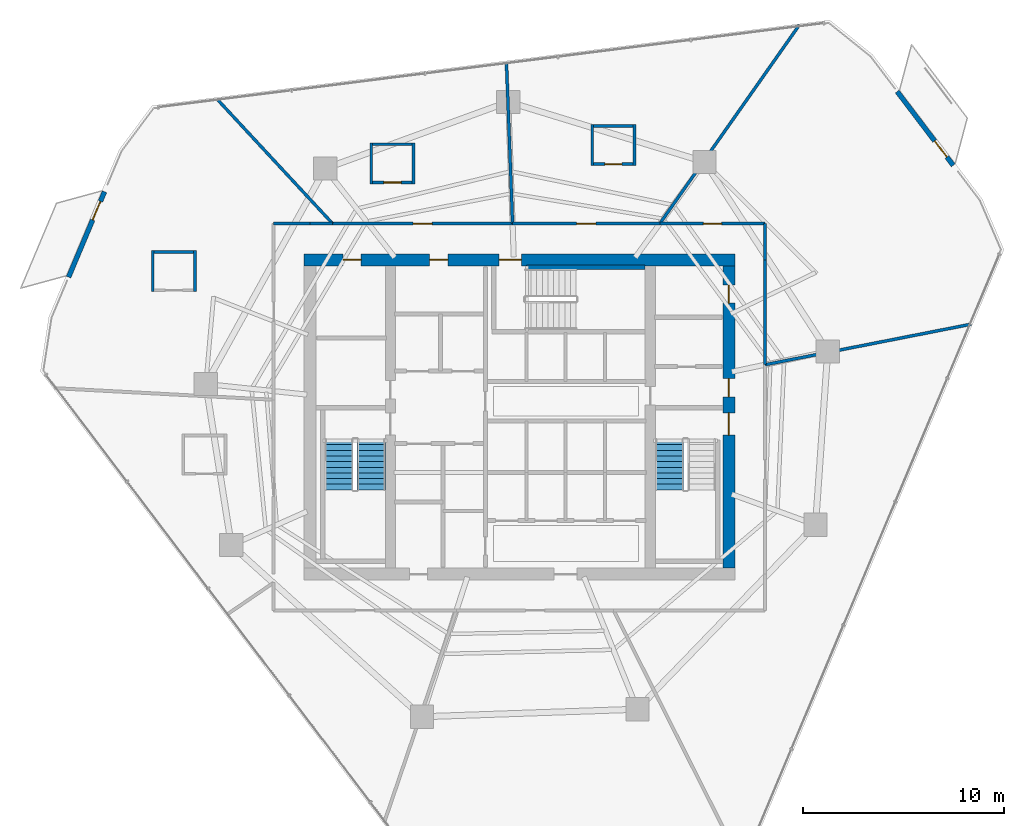
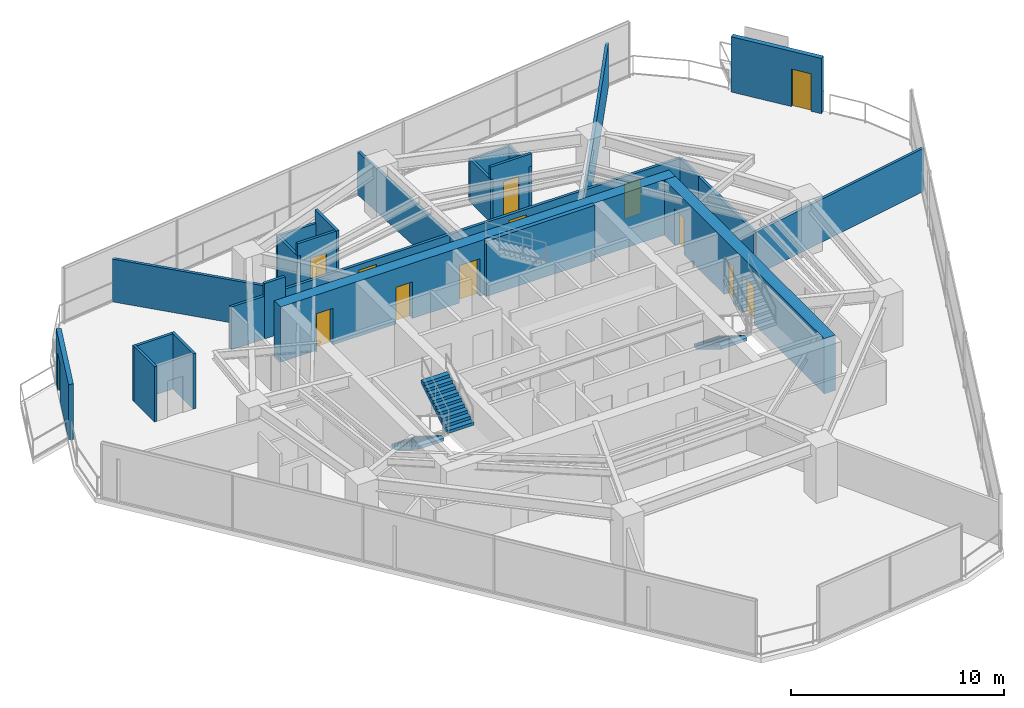
# One storey, part 26 of 30: 27 walls, 13 doors, 3 stair flights, 13 openings, 2 elements without a shape of their own.
"""IFC4 building model written with IfcOpenShell, lengths in metres."""

from ifc_helpers import new_model, si_unit, direction, frame, frame_2d, origin, place, context, subcontext, project, spatial, polyline, rectangle, outline, extrude, material, layer, layer_set, type_object, element, fill, aggregate, save


model = new_model("IFC4")

# Units and contexts
model_context = context("Model", 3, precision=1e-05, world=origin(), true_north=direction((0.0, 1.0)))
body_context = subcontext(model_context, "Body", "Model", "MODEL_VIEW")
ifc_project = project(units=[si_unit("LENGTHUNIT", "METRE"), si_unit("AREAUNIT", "SQUARE_METRE"), si_unit("VOLUMEUNIT", "CUBIC_METRE"), si_unit("PLANEANGLEUNIT", "RADIAN"), si_unit("MASSUNIT", "GRAM", prefix="KILO")], contexts=[model_context])

# Site, building, storey
site_placement = place(None, origin())
site = spatial("IfcSite", under=ifc_project, at=site_placement, CompositionType="ELEMENT")
building_placement = place(site_placement, origin())
building = spatial("IfcBuilding", under=site, at=building_placement, Name="Qarnah Convention Tower", CompositionType="ELEMENT")
storey_placement = place(building_placement, frame((0.0, 0.0, 93.60009765625)))
storey = spatial("IfcBuildingStorey", under=building, at=storey_placement, Name="L24", CompositionType="ELEMENT", Elevation=93.60009765625)

# Wall, openings, doors
ifc_material_1 = material(Name="Concrete C60/75", Category="concrete")
ifc_layer_1 = layer(ifc_material_1, 0.60009765625)
ifc_layer_set_1 = layer_set([ifc_layer_1], Name="Concrete C60/75")
wall_type_1 = type_object("IfcWallType", Name="WL-CORE-600", PredefinedType="SHEAR", material=ifc_layer_set_1)
wall_1_placement = place(storey_placement, frame((26.5, 34.199951171875, 0.0), z_axis=(0.0, 0.0, 1.0), x_axis=(1.0, 0.0, 0.0)))
wall_1 = element("IfcWall", 1, at=wall_1_placement, inside=storey, type_object=wall_type_1, Name="L24 core north shear wall", PredefinedType="SHEAR", context=body_context, shape_type="SweptSolid", body=[
    extrude(rectangle(XDim=21.39990234375, YDim=0.60009765625, at=frame_2d((10.699951171875, 0.0))), origin(), (0.0, 0.0, 1.0), 3.169921875),
])
opening_1_placement = place(wall_1_placement, frame((9.699951171875, 0.0, 0.0)))
opening_1 = element("IfcOpeningElement", 2, at=opening_1_placement, cuts=wall_1, Name="Opening D-2403", PredefinedType="OPENING", context=body_context, shape_type="SweptSolid", body=[
    extrude(rectangle(XDim=1.10009765625, YDim=2.14990234375, at=frame_2d((0.550048828125, 1.074951171875))), frame((0.0, 0.31005859375, 0.0), z_axis=(0.0, -1.0, 0.0), x_axis=(1.0, 0.0, 0.0)), (0.0, 0.0, 1.0), 0.6201171875),
])
opening_2_placement = place(wall_1_placement, frame((1.949951171875, 0.0, 0.0)))
opening_2 = element("IfcOpeningElement", 3, at=opening_2_placement, cuts=wall_1, Name="Opening D-2409", PredefinedType="OPENING", context=body_context, shape_type="SweptSolid", body=[
    extrude(rectangle(XDim=0.89990234375, YDim=2.10009765625, at=frame_2d((0.449951171875, 1.050048828125))), frame((0.0, 0.31005859375, 0.0), z_axis=(0.0, -1.0, 0.0), x_axis=(1.0, 0.0, 0.0)), (0.0, 0.0, 1.0), 0.6201171875),
])
opening_3_placement = place(wall_1_placement, frame((6.25, 0.0, 0.0)))
opening_3 = element("IfcOpeningElement", 4, at=opening_3_placement, cuts=wall_1, Name="Opening D-2410", PredefinedType="OPENING", context=body_context, shape_type="SweptSolid", body=[
    extrude(rectangle(XDim=0.89990234375, YDim=2.10009765625, at=frame_2d((0.449951171875, 1.050048828125))), frame((0.0, 0.31005859375, 0.0), z_axis=(0.0, -1.0, 0.0), x_axis=(1.0, 0.0, 0.0)), (0.0, 0.0, 1.0), 0.6201171875),
])
ifc_material_2 = material(Name="Structural steel S355JR", Category="steel")
door_type_1 = type_object("IfcDoorType", Name="DT-RISER-900", OperationType="NOTDEFINED", PredefinedType="DOOR", material=ifc_material_2)
door_1_placement = place(opening_2_placement, origin())
door_1 = element("IfcDoor", 5, at=door_1_placement, inside=storey, type_object=door_type_1, Name="Door D-2409", OperationType="SINGLE_SWING_RIGHT", OverallHeight=2.10009765625, OverallWidth=0.89990234375, PredefinedType="DOOR", context=body_context, shape_type="SweptSolid", body=[
    extrude(rectangle(XDim=0.89990234375, YDim=2.10009765625, at=frame_2d((0.449951171875, 1.050048828125))), frame((0.0, 0.02490234375, 0.0), z_axis=(0.0, -1.0, 0.0), x_axis=(1.0, 0.0, 0.0)), (0.0, 0.0, 1.0), 0.050048828125),
])
fill(opening_2, door_1)
door_2_placement = place(opening_3_placement, origin())
door_2 = element("IfcDoor", 6, at=door_2_placement, inside=storey, type_object=door_type_1, Name="Door D-2410", OperationType="SINGLE_SWING_LEFT", OverallHeight=2.10009765625, OverallWidth=0.89990234375, PredefinedType="DOOR", context=body_context, shape_type="SweptSolid", body=[
    extrude(rectangle(XDim=0.89990234375, YDim=2.10009765625, at=frame_2d((0.449951171875, 1.050048828125))), frame((0.0, 0.02490234375, 0.0), z_axis=(0.0, -1.0, 0.0), x_axis=(1.0, 0.0, 0.0)), (0.0, 0.0, 1.0), 0.050048828125),
])
fill(opening_3, door_2)
door_type_2 = type_object("IfcDoorType", Name="DT-STAIR-1100", OperationType="NOTDEFINED", PredefinedType="DOOR", material=ifc_material_2)
door_3_placement = place(opening_1_placement, origin())
door_3 = element("IfcDoor", 7, at=door_3_placement, inside=storey, type_object=door_type_2, Name="Door D-2403", OperationType="SINGLE_SWING_RIGHT", OverallHeight=2.14990234375, OverallWidth=1.10009765625, PredefinedType="DOOR", context=body_context, shape_type="SweptSolid", body=[
    extrude(rectangle(XDim=1.10009765625, YDim=2.14990234375, at=frame_2d((0.550048828125, 1.074951171875))), frame((0.0, 0.02490234375, 0.0), z_axis=(0.0, -1.0, 0.0), x_axis=(1.0, 0.0, 0.0)), (0.0, 0.0, 1.0), 0.050048828125),
])
fill(opening_1, door_3)

wall_2_placement = place(storey_placement, frame((47.60009765625, 18.89990234375, 0.0), z_axis=(0.0, 0.0, 1.0), x_axis=(0.0, 1.0, 0.0)))
wall_2 = element("IfcWall", 8, at=wall_2_placement, inside=storey, type_object=wall_type_1, Name="L24 core east shear wall", PredefinedType="SHEAR", context=body_context, shape_type="SweptSolid", body=[
    extrude(rectangle(XDim=15.0, YDim=0.60009765625, at=frame_2d((7.5, 0.0))), origin(), (0.0, 0.0, 1.0), 3.169921875),
])
opening_4_placement = place(wall_2_placement, frame((6.60009765625, 0.0, 0.0)))
opening_4 = element("IfcOpeningElement", 9, at=opening_4_placement, cuts=wall_2, Name="Opening D-2402", PredefinedType="OPENING", context=body_context, shape_type="SweptSolid", body=[
    extrude(rectangle(XDim=1.10009765625, YDim=2.14990234375, at=frame_2d((0.550048828125, 1.074951171875))), frame((0.0, 0.31005859375, 0.0), z_axis=(0.0, -1.0, 0.0), x_axis=(1.0, 0.0, 0.0)), (0.0, 0.0, 1.0), 0.6201171875),
])
opening_5_placement = place(wall_2_placement, frame((8.5, 0.0, 0.0)))
opening_5 = element("IfcOpeningElement", 10, at=opening_5_placement, cuts=wall_2, Name="Opening D-2406", PredefinedType="OPENING", context=body_context, shape_type="SweptSolid", body=[
    extrude(rectangle(XDim=0.89990234375, YDim=2.10009765625, at=frame_2d((0.449951171875, 1.050048828125))), frame((0.0, 0.31005859375, 0.0), z_axis=(0.0, -1.0, 0.0), x_axis=(1.0, 0.0, 0.0)), (0.0, 0.0, 1.0), 0.6201171875),
])
opening_6_placement = place(wall_2_placement, frame((13.14990234375, 0.0, 0.0)))
opening_6 = element("IfcOpeningElement", 11, at=opening_6_placement, cuts=wall_2, Name="Opening D-2412", PredefinedType="OPENING", context=body_context, shape_type="SweptSolid", body=[
    extrude(rectangle(XDim=0.89990234375, YDim=2.10009765625, at=frame_2d((0.449951171875, 1.050048828125))), frame((0.0, 0.31005859375, 0.0), z_axis=(0.0, -1.0, 0.0), x_axis=(1.0, 0.0, 0.0)), (0.0, 0.0, 1.0), 0.6201171875),
])
door_4_placement = place(opening_5_placement, origin())
door_4 = element("IfcDoor", 12, at=door_4_placement, inside=storey, type_object=door_type_1, Name="Door D-2406", OperationType="SINGLE_SWING_LEFT", OverallHeight=2.10009765625, OverallWidth=0.89990234375, PredefinedType="DOOR", context=body_context, shape_type="SweptSolid", body=[
    extrude(rectangle(XDim=0.89990234375, YDim=2.10009765625, at=frame_2d((0.449951171875, 1.050048828125))), frame((0.0, 0.02490234375, 0.0), z_axis=(0.0, -1.0, 0.0), x_axis=(1.0, 0.0, 0.0)), (0.0, 0.0, 1.0), 0.050048828125),
])
fill(opening_5, door_4)
door_5_placement = place(opening_6_placement, origin())
door_5 = element("IfcDoor", 13, at=door_5_placement, inside=storey, type_object=door_type_1, Name="Door D-2412", OperationType="SINGLE_SWING_LEFT", OverallHeight=2.10009765625, OverallWidth=0.89990234375, PredefinedType="DOOR", context=body_context, shape_type="SweptSolid", body=[
    extrude(rectangle(XDim=0.89990234375, YDim=2.10009765625, at=frame_2d((0.449951171875, 1.050048828125))), frame((0.0, 0.02490234375, 0.0), z_axis=(0.0, -1.0, 0.0), x_axis=(1.0, 0.0, 0.0)), (0.0, 0.0, 1.0), 0.050048828125),
])
fill(opening_6, door_5)
door_6_placement = place(opening_4_placement, origin())
door_6 = element("IfcDoor", 14, at=door_6_placement, inside=storey, type_object=door_type_2, Name="Door D-2402", OperationType="SINGLE_SWING_LEFT", OverallHeight=2.14990234375, OverallWidth=1.10009765625, PredefinedType="DOOR", context=body_context, shape_type="SweptSolid", body=[
    extrude(rectangle(XDim=1.10009765625, YDim=2.14990234375, at=frame_2d((0.550048828125, 1.074951171875))), frame((0.0, 0.02490234375, 0.0), z_axis=(0.0, -1.0, 0.0), x_axis=(1.0, 0.0, 0.0)), (0.0, 0.0, 1.0), 0.050048828125),
])
fill(opening_4, door_6)

# Wall
ifc_layer_2 = layer(ifc_material_1, 0.219970703125)
ifc_layer_set_2 = layer_set([ifc_layer_2], Name="Concrete C60/75")
wall_type_2 = type_object("IfcWallType", Name="WL-CORE-STAIR-220", PredefinedType="SHEAR", material=ifc_layer_set_2)
wall_3_placement = place(storey_placement, frame((37.550048828125, 33.840087890625, 0.0), z_axis=(0.0, 0.0, 1.0), x_axis=(1.0, 0.0, 0.0)))
element("IfcWall", 15, at=wall_3_placement, inside=storey, type_object=wall_type_2, Name="L24 stair shaft shear wall SW-L24-ST3N", PredefinedType="SHEAR", context=body_context, shape_type="SweptSolid", body=[
    extrude(rectangle(XDim=5.89990234375, YDim=0.219970703125, at=frame_2d((2.949951171875, 0.0))), origin(), (0.0, 0.0, 1.0), 3.169921875),
])

# Wall, opening, door
ifc_material_3 = material(Name="Precast concrete C45/55", Category="concrete")
ifc_layer_3 = layer(ifc_material_3, 0.239990234375)
ifc_layer_set_3 = layer_set([ifc_layer_3], Name="Precast concrete C45/55")
wall_type_3 = type_object("IfcWallType", Name="WL-EXT-BAL-240", PredefinedType="SOLIDWALL", material=ifc_layer_set_3)
wall_4_placement = place(storey_placement, frame((55.958984375, 42.553955078125, 0.0), z_axis=(0.0, 0.0, 1.0), x_axis=(0.604575811397, -0.79654760578, 0.0)))
wall_4 = element("IfcWall", 16, at=wall_4_placement, inside=storey, type_object=wall_type_3, Name="L24 loggia threshold wall BAL-L24-C1", PredefinedType="SOLIDWALL", context=body_context, shape_type="SweptSolid", body=[
    extrude(rectangle(XDim=4.599853515625, YDim=0.239990234375, at=frame_2d((2.2998046875, 0.0))), origin(), (0.0, 0.0, 1.0), 3.169921875),
])
opening_7_placement = place(wall_4_placement, frame((3.080078125, 0.0, 0.0)))
opening_7 = element("IfcOpeningElement", 17, at=opening_7_placement, cuts=wall_4, Name="Opening BD-2401", PredefinedType="OPENING", context=body_context, shape_type="SweptSolid", body=[
    extrude(rectangle(XDim=1.0, YDim=2.14990234375, at=frame_2d((0.5, 1.074951171875))), frame((0.0, 0.1298828125, 0.0), z_axis=(0.0, -1.0, 0.0), x_axis=(1.0, 0.0, 0.0)), (0.0, 0.0, 1.0), 0.260009765625),
])
ifc_material_4 = material(Name="Black anodised aluminium", Category="aluminium")
door_type_3 = type_object("IfcDoorType", Name="DT-BAL-1000", OperationType="NOTDEFINED", PredefinedType="DOOR", material=ifc_material_4)
door_7_placement = place(opening_7_placement, origin())
door_7 = element("IfcDoor", 18, at=door_7_placement, inside=storey, type_object=door_type_3, Name="L24 balcony terrace door BAL-L24-C1", OperationType="SINGLE_SWING_LEFT", OverallHeight=2.14990234375, OverallWidth=1.0, PredefinedType="DOOR", context=body_context, shape_type="SweptSolid", body=[
    extrude(rectangle(XDim=1.0, YDim=2.14990234375, at=frame_2d((0.5, 1.074951171875))), frame((0.0, 0.02490234375, 0.0), z_axis=(0.0, -1.0, 0.0), x_axis=(1.0, 0.0, 0.0)), (0.0, 0.0, 1.0), 0.050048828125),
])
fill(opening_7, door_7)

wall_5_placement = place(storey_placement, frame((14.823974609375, 33.342041015625, 0.0), z_axis=(0.0, 0.0, 1.0), x_axis=(0.387632206043, 0.921814120546, 0.0)))
wall_5 = element("IfcWall", 19, at=wall_5_placement, inside=storey, type_object=wall_type_3, Name="L24 loggia threshold wall BAL-L24-C2", PredefinedType="SOLIDWALL", context=body_context, shape_type="SweptSolid", body=[
    extrude(rectangle(XDim=4.599609375, YDim=0.239990234375, at=frame_2d((2.2998046875, 0.0))), origin(), (0.0, 0.0, 1.0), 3.169921875),
])
opening_8_placement = place(wall_5_placement, frame((3.080078125, 0.0, 0.0)))
opening_8 = element("IfcOpeningElement", 20, at=opening_8_placement, cuts=wall_5, Name="Opening BD-2402", PredefinedType="OPENING", context=body_context, shape_type="SweptSolid", body=[
    extrude(rectangle(XDim=1.0, YDim=2.14990234375, at=frame_2d((0.5, 1.074951171875))), frame((0.0, 0.1298828125, 0.0), z_axis=(0.0, -1.0, 0.0), x_axis=(1.0, 0.0, 0.0)), (0.0, 0.0, 1.0), 0.260009765625),
])
door_8_placement = place(opening_8_placement, origin())
door_8 = element("IfcDoor", 21, at=door_8_placement, inside=storey, type_object=door_type_3, Name="L24 balcony terrace door BAL-L24-C2", OperationType="SINGLE_SWING_RIGHT", OverallHeight=2.14990234375, OverallWidth=1.0, PredefinedType="DOOR", context=body_context, shape_type="SweptSolid", body=[
    extrude(rectangle(XDim=1.0, YDim=2.14990234375, at=frame_2d((0.5, 1.074951171875))), frame((0.0, 0.02490234375, 0.0), z_axis=(0.0, -1.0, 0.0), x_axis=(1.0, 0.0, 0.0)), (0.0, 0.0, 1.0), 0.050048828125),
])
fill(opening_8, door_8)

# Wall
ifc_material_5 = material(Name="Gypsum partition board")
ifc_layer_4 = layer(ifc_material_5, 0.14990234375)
ifc_layer_set_4 = layer_set([ifc_layer_4], Name="Gypsum partition board")
wall_type_4 = type_object("IfcWallType", Name="WL-SUITE-150", PredefinedType="PARTITIONING", material=ifc_layer_set_4)
wall_6_placement = place(storey_placement, frame((51.09912109375, 45.85595703125, 0.0), z_axis=(0.0, 0.0, 1.0), x_axis=(-0.574849064003, -0.818259465949, 0.0)))
element("IfcWall", 22, at=wall_6_placement, inside=storey, type_object=wall_type_4, Name="L24 interior wall IW-L24-R-17", PredefinedType="PARTITIONING", context=body_context, shape_type="SweptSolid", body=[
    extrude(rectangle(XDim=12.044921875, YDim=0.14990234375, at=frame_2d((6.0224609375, 0.0))), origin(), (0.0, 0.0, 1.0), 2.466796875),
])

# Wall, opening, door
wall_7_placement = place(storey_placement, frame((44.175048828125, 36.0, 0.0), z_axis=(0.0, 0.0, 1.0), x_axis=(1.0, 0.0, 0.0)))
wall_7 = element("IfcWall", 23, at=wall_7_placement, inside=storey, type_object=wall_type_4, Name="L24 interior wall IW-L24-R-18", PredefinedType="PARTITIONING", context=body_context, shape_type="SweptSolid", body=[
    extrude(rectangle(XDim=5.224853515625, YDim=0.14990234375, at=frame_2d((2.6123046875, 0.0))), origin(), (0.0, 0.0, 1.0), 2.454833984375),
])
opening_9_placement = place(wall_7_placement, frame((2.1630859375, 0.0, 0.0)))
opening_9 = element("IfcOpeningElement", 24, at=opening_9_placement, cuts=wall_7, Name="Opening D-2416", PredefinedType="OPENING", context=body_context, shape_type="SweptSolid", body=[
    extrude(rectangle(XDim=0.89990234375, YDim=2.0, at=frame_2d((0.449951171875, 1.0))), frame((0.0, 0.0849609375, 0.0), z_axis=(0.0, -1.0, 0.0), x_axis=(1.0, 0.0, 0.0)), (0.0, 0.0, 1.0), 0.169921875),
])
door_type_4 = type_object("IfcDoorType", Name="DT-PLANT-900", OperationType="NOTDEFINED", PredefinedType="DOOR", material=ifc_material_2)
door_9_placement = place(opening_9_placement, origin())
door_9 = element("IfcDoor", 25, at=door_9_placement, inside=storey, type_object=door_type_4, Name="Door D-2416", OperationType="SINGLE_SWING_LEFT", OverallHeight=2.0, OverallWidth=0.89990234375, PredefinedType="DOOR", context=body_context, shape_type="SweptSolid", body=[
    extrude(rectangle(XDim=0.89990234375, YDim=2.0, at=frame_2d((0.449951171875, 1.0))), frame((0.0, 0.02490234375, 0.0), z_axis=(0.0, -1.0, 0.0), x_axis=(1.0, 0.0, 0.0)), (0.0, 0.0, 1.0), 0.050048828125),
])
fill(opening_9, door_9)

# Walls
wall_8_placement = place(storey_placement, frame((49.39990234375, 36.0, 0.0), z_axis=(0.0, 0.0, 1.0), x_axis=(0.0, -1.0, 0.0)))
element("IfcWall", 26, at=wall_8_placement, inside=storey, type_object=wall_type_4, Name="L24 interior wall IW-L24-R-19", PredefinedType="PARTITIONING", context=body_context, shape_type="SweptSolid", body=[
    extrude(rectangle(XDim=1.800048828125, YDim=0.14990234375, at=frame_2d((0.89990234375, 0.0))), origin(), (0.0, 0.0, 1.0), 2.454833984375),
])
wall_9_placement = place(storey_placement, frame((49.39990234375, 34.199951171875, 0.0), z_axis=(0.0, 0.0, 1.0), x_axis=(0.0, -1.0, 0.0)))
element("IfcWall", 27, at=wall_9_placement, inside=storey, type_object=wall_type_4, Name="L24 interior wall IW-L24-R-20", PredefinedType="PARTITIONING", context=body_context, shape_type="SweptSolid", body=[
    extrude(rectangle(XDim=5.20703125, YDim=0.14990234375, at=frame_2d((2.603515625, 0.0))), origin(), (0.0, 0.0, 1.0), 2.454833984375),
])
wall_10_placement = place(storey_placement, frame((49.39990234375, 28.992919921875, 0.0), z_axis=(0.0, 0.0, 1.0), x_axis=(0.981218213856, 0.192901054424, 0.0)))
element("IfcWall", 28, at=wall_10_placement, inside=storey, type_object=wall_type_4, Name="L24 interior wall IW-L24-R-21", PredefinedType="PARTITIONING", context=body_context, shape_type="SweptSolid", body=[
    extrude(rectangle(XDim=10.429931640625, YDim=0.14990234375, at=frame_2d((5.21484375, 0.0))), origin(), (0.0, 0.0, 1.0), 2.466796875),
])
wall_11_placement = place(storey_placement, frame((36.56005859375, 43.9990234375, 0.0), z_axis=(0.0, 0.0, 1.0), x_axis=(0.038093439529, -0.999274181526, 0.0)))
element("IfcWall", 29, at=wall_11_placement, inside=storey, type_object=wall_type_4, Name="L24 interior wall IW-L24-R-22", PredefinedType="PARTITIONING", context=body_context, shape_type="SweptSolid", body=[
    extrude(rectangle(XDim=8.0048828125, YDim=0.14990234375, at=frame_2d((4.00244140625, 0.0))), origin(), (0.0, 0.0, 1.0), 2.466796875),
])

# Wall, opening, door
wall_12_placement = place(storey_placement, frame((36.864990234375, 36.0, 0.0), z_axis=(0.0, 0.0, 1.0), x_axis=(1.0, 0.0, 0.0)))
wall_12 = element("IfcWall", 30, at=wall_12_placement, inside=storey, type_object=wall_type_4, Name="L24 interior wall IW-L24-R-23", PredefinedType="PARTITIONING", context=body_context, shape_type="SweptSolid", body=[
    extrude(rectangle(XDim=7.31005859375, YDim=0.14990234375, at=frame_2d((3.655029296875, 0.0))), origin(), (0.0, 0.0, 1.0), 2.466796875),
])
opening_10_placement = place(wall_12_placement, frame((3.179931640625, 0.0, 0.0)))
opening_10 = element("IfcOpeningElement", 31, at=opening_10_placement, cuts=wall_12, Name="Opening D-2417", PredefinedType="OPENING", context=body_context, shape_type="SweptSolid", body=[
    extrude(rectangle(XDim=0.949951171875, YDim=2.14990234375, at=frame_2d((0.47509765625, 1.074951171875))), frame((0.0, 0.0849609375, 0.0), z_axis=(0.0, -1.0, 0.0), x_axis=(1.0, 0.0, 0.0)), (0.0, 0.0, 1.0), 0.169921875),
])
ifc_material_6 = material(Name="Oak timber veneer", Category="wood")
door_type_5 = type_object("IfcDoorType", Name="DT-HOTEL-950", OperationType="NOTDEFINED", PredefinedType="DOOR", material=ifc_material_6)
door_10_placement = place(opening_10_placement, origin())
door_10 = element("IfcDoor", 32, at=door_10_placement, inside=storey, type_object=door_type_5, Name="Door D-2417", OperationType="SINGLE_SWING_RIGHT", OverallHeight=2.14990234375, OverallWidth=0.949951171875, PredefinedType="DOOR", context=body_context, shape_type="SweptSolid", body=[
    extrude(rectangle(XDim=0.949951171875, YDim=2.14990234375, at=frame_2d((0.47509765625, 1.074951171875))), frame((0.0, 0.02490234375, 0.0), z_axis=(0.0, -1.0, 0.0), x_axis=(1.0, 0.0, 0.0)), (0.0, 0.0, 1.0), 0.050048828125),
])
fill(opening_10, door_10)

# Wall
wall_13_placement = place(storey_placement, frame((22.177001953125, 42.197021484375, 0.0), z_axis=(0.0, 0.0, 1.0), x_axis=(0.680297136608, -0.732936426932, 0.0)))
element("IfcWall", 33, at=wall_13_placement, inside=storey, type_object=wall_type_4, Name="L24 interior wall IW-L24-R-24", PredefinedType="PARTITIONING", context=body_context, shape_type="SweptSolid", body=[
    extrude(rectangle(XDim=8.455078125, YDim=0.14990234375, at=frame_2d((4.2275390625, 0.0))), origin(), (0.0, 0.0, 1.0), 2.454833984375),
])

# Wall, opening, door
wall_14_placement = place(storey_placement, frame((27.928955078125, 36.0, 0.0), z_axis=(0.0, 0.0, 1.0), x_axis=(1.0, 0.0, 0.0)))
wall_14 = element("IfcWall", 34, at=wall_14_placement, inside=storey, type_object=wall_type_4, Name="L24 interior wall IW-L24-R-25", PredefinedType="PARTITIONING", context=body_context, shape_type="SweptSolid", body=[
    extrude(rectangle(XDim=8.93603515625, YDim=0.14990234375, at=frame_2d((4.468017578125, 0.0))), origin(), (0.0, 0.0, 1.0), 2.466796875),
])
opening_11_placement = place(wall_14_placement, frame((3.992919921875, 0.0, 0.0)))
opening_11 = element("IfcOpeningElement", 35, at=opening_11_placement, cuts=wall_14, Name="Opening D-2419", PredefinedType="OPENING", context=body_context, shape_type="SweptSolid", body=[
    extrude(rectangle(XDim=0.949951171875, YDim=2.14990234375, at=frame_2d((0.47509765625, 1.074951171875))), frame((0.0, 0.0849609375, 0.0), z_axis=(0.0, -1.0, 0.0), x_axis=(1.0, 0.0, 0.0)), (0.0, 0.0, 1.0), 0.169921875),
])
door_11_placement = place(opening_11_placement, origin())
door_11 = element("IfcDoor", 36, at=door_11_placement, inside=storey, type_object=door_type_5, Name="Door D-2419", OperationType="SINGLE_SWING_RIGHT", OverallHeight=2.14990234375, OverallWidth=0.949951171875, PredefinedType="DOOR", context=body_context, shape_type="SweptSolid", body=[
    extrude(rectangle(XDim=0.949951171875, YDim=2.14990234375, at=frame_2d((0.47509765625, 1.074951171875))), frame((0.0, 0.02490234375, 0.0), z_axis=(0.0, -1.0, 0.0), x_axis=(1.0, 0.0, 0.0)), (0.0, 0.0, 1.0), 0.050048828125),
])
fill(opening_11, door_11)

# Walls
wall_15_placement = place(storey_placement, frame((25.0, 36.0, 0.0), z_axis=(0.0, 0.0, 1.0), x_axis=(1.0, 0.0, 0.0)))
element("IfcWall", 37, at=wall_15_placement, inside=storey, type_object=wall_type_4, Name="L24 interior wall IW-L24-R-28", PredefinedType="PARTITIONING", context=body_context, shape_type="SweptSolid", body=[
    extrude(rectangle(XDim=1.800048828125, YDim=0.14990234375, at=frame_2d((0.89990234375, 0.0))), origin(), (0.0, 0.0, 1.0), 2.454833984375),
])
wall_16_placement = place(storey_placement, frame((26.800048828125, 36.0, 0.0), z_axis=(0.0, 0.0, 1.0), x_axis=(1.0, 0.0, 0.0)))
element("IfcWall", 38, at=wall_16_placement, inside=storey, type_object=wall_type_4, Name="L24 interior wall IW-L24-R-29", PredefinedType="PARTITIONING", context=body_context, shape_type="SweptSolid", body=[
    extrude(rectangle(XDim=1.12890625, YDim=0.14990234375, at=frame_2d((0.564453125, 0.0))), origin(), (0.0, 0.0, 1.0), 3.169921875),
])

# Wall, opening, door
ifc_layer_5 = layer(ifc_material_5, 0.139892578125)
ifc_layer_set_5 = layer_set([ifc_layer_5], Name="Gypsum partition board")
wall_type_5 = type_object("IfcWallType", Name="WL-WET-140", PredefinedType="PARTITIONING", material=ifc_layer_set_5)
wall_17_placement = place(storey_placement, frame((40.7490234375, 38.949951171875, 0.0), z_axis=(0.0, 0.0, 1.0), x_axis=(1.0, 0.0, 0.0)))
wall_17 = element("IfcWall", 39, at=wall_17_placement, inside=storey, type_object=wall_type_5, Name="L24 interior wall IW-L24-ENS01-1", PredefinedType="PARTITIONING", context=body_context, shape_type="SweptSolid", body=[
    extrude(rectangle(XDim=2.239990234375, YDim=0.139892578125, at=frame_2d((1.1201171875, 0.0))), origin(), (0.0, 0.0, 1.0), 3.169921875),
])
opening_12_placement = place(wall_17_placement, frame((0.695068359375, 0.0, 0.0)))
opening_12 = element("IfcOpeningElement", 40, at=opening_12_placement, cuts=wall_17, Name="Opening D-2418", PredefinedType="OPENING", context=body_context, shape_type="SweptSolid", body=[
    extrude(rectangle(XDim=0.85009765625, YDim=2.10009765625, at=frame_2d((0.425048828125, 1.050048828125))), frame((0.0, 0.079833984375, 0.0), z_axis=(0.0, -1.0, 0.0), x_axis=(1.0, 0.0, 0.0)), (0.0, 0.0, 1.0), 0.159912109375),
])
door_type_6 = type_object("IfcDoorType", Name="DT-BATH-850", OperationType="NOTDEFINED", PredefinedType="DOOR", material=ifc_material_6)
door_12_placement = place(opening_12_placement, origin())
door_12 = element("IfcDoor", 41, at=door_12_placement, inside=storey, type_object=door_type_6, Name="Door D-2418", OperationType="SINGLE_SWING_LEFT", OverallHeight=2.10009765625, OverallWidth=0.85009765625, PredefinedType="DOOR", context=body_context, shape_type="SweptSolid", body=[
    extrude(rectangle(XDim=0.85009765625, YDim=2.10009765625, at=frame_2d((0.425048828125, 1.050048828125))), frame((0.0, 0.02490234375, 0.0), z_axis=(0.0, -1.0, 0.0), x_axis=(1.0, 0.0, 0.0)), (0.0, 0.0, 1.0), 0.050048828125),
])
fill(opening_12, door_12)

# Walls
wall_18_placement = place(storey_placement, frame((42.9189453125, 38.8798828125, 0.0), z_axis=(0.0, 0.0, 1.0), x_axis=(0.0, 1.0, 0.0)))
element("IfcWall", 42, at=wall_18_placement, inside=storey, type_object=wall_type_5, Name="L24 interior wall IW-L24-ENS01-2", PredefinedType="PARTITIONING", context=body_context, shape_type="SweptSolid", body=[
    extrude(rectangle(XDim=2.0400390625, YDim=0.139892578125, at=frame_2d((1.02001953125, 0.0))), origin(), (0.0, 0.0, 1.0), 2.454833984375),
])
wall_19_placement = place(storey_placement, frame((42.989013671875, 40.85009765625, 0.0), z_axis=(0.0, 0.0, 1.0), x_axis=(-1.0, 0.0, 0.0)))
element("IfcWall", 43, at=wall_19_placement, inside=storey, type_object=wall_type_5, Name="L24 interior wall IW-L24-ENS01-3", PredefinedType="PARTITIONING", context=body_context, shape_type="SweptSolid", body=[
    extrude(rectangle(XDim=2.239990234375, YDim=0.139892578125, at=frame_2d((1.1201171875, 0.0))), origin(), (0.0, 0.0, 1.0), 2.454833984375),
])
wall_20_placement = place(storey_placement, frame((40.819091796875, 40.919921875, 0.0), z_axis=(0.0, 0.0, 1.0), x_axis=(0.0, -1.0, 0.0)))
element("IfcWall", 44, at=wall_20_placement, inside=storey, type_object=wall_type_5, Name="L24 interior wall IW-L24-ENS01-4", PredefinedType="PARTITIONING", context=body_context, shape_type="SweptSolid", body=[
    extrude(rectangle(XDim=2.0400390625, YDim=0.139892578125, at=frame_2d((1.02001953125, 0.0))), origin(), (0.0, 0.0, 1.0), 2.454833984375),
])

# Wall, opening, door
wall_21_placement = place(storey_placement, frame((29.781982421875, 38.0390625, 0.0), z_axis=(0.0, 0.0, 1.0), x_axis=(1.0, 0.0, 0.0)))
wall_21 = element("IfcWall", 45, at=wall_21_placement, inside=storey, type_object=wall_type_5, Name="L24 interior wall IW-L24-ENS02-1", PredefinedType="PARTITIONING", context=body_context, shape_type="SweptSolid", body=[
    extrude(rectangle(XDim=2.239990234375, YDim=0.139892578125, at=frame_2d((1.1201171875, 0.0))), origin(), (0.0, 0.0, 1.0), 3.169921875),
])
opening_13_placement = place(wall_21_placement, frame((0.695068359375, 0.0, 0.0)))
opening_13 = element("IfcOpeningElement", 46, at=opening_13_placement, cuts=wall_21, Name="Opening D-2420", PredefinedType="OPENING", context=body_context, shape_type="SweptSolid", body=[
    extrude(rectangle(XDim=0.85009765625, YDim=2.10009765625, at=frame_2d((0.425048828125, 1.050048828125))), frame((0.0, 0.079833984375, 0.0), z_axis=(0.0, -1.0, 0.0), x_axis=(1.0, 0.0, 0.0)), (0.0, 0.0, 1.0), 0.159912109375),
])
door_13_placement = place(opening_13_placement, origin())
door_13 = element("IfcDoor", 47, at=door_13_placement, inside=storey, type_object=door_type_6, Name="Door D-2420", OperationType="SINGLE_SWING_LEFT", OverallHeight=2.10009765625, OverallWidth=0.85009765625, PredefinedType="DOOR", context=body_context, shape_type="SweptSolid", body=[
    extrude(rectangle(XDim=0.85009765625, YDim=2.10009765625, at=frame_2d((0.425048828125, 1.050048828125))), frame((0.0, 0.02490234375, 0.0), z_axis=(0.0, -1.0, 0.0), x_axis=(1.0, 0.0, 0.0)), (0.0, 0.0, 1.0), 0.050048828125),
])
fill(opening_13, door_13)

# Walls
wall_22_placement = place(storey_placement, frame((31.951904296875, 37.968994140625, 0.0), z_axis=(0.0, 0.0, 1.0), x_axis=(0.0, 1.0, 0.0)))
element("IfcWall", 48, at=wall_22_placement, inside=storey, type_object=wall_type_5, Name="L24 interior wall IW-L24-ENS02-2", PredefinedType="PARTITIONING", context=body_context, shape_type="SweptSolid", body=[
    extrude(rectangle(XDim=2.0400390625, YDim=0.139892578125, at=frame_2d((1.02001953125, 0.0))), origin(), (0.0, 0.0, 1.0), 3.169921875),
])
wall_23_placement = place(storey_placement, frame((32.02197265625, 39.93896484375, 0.0), z_axis=(0.0, 0.0, 1.0), x_axis=(-1.0, 0.0, 0.0)))
element("IfcWall", 49, at=wall_23_placement, inside=storey, type_object=wall_type_5, Name="L24 interior wall IW-L24-ENS02-3", PredefinedType="PARTITIONING", context=body_context, shape_type="SweptSolid", body=[
    extrude(rectangle(XDim=2.239990234375, YDim=0.139892578125, at=frame_2d((1.1201171875, 0.0))), origin(), (0.0, 0.0, 1.0), 2.454833984375),
])
wall_24_placement = place(storey_placement, frame((29.85205078125, 40.009033203125, 0.0), z_axis=(0.0, 0.0, 1.0), x_axis=(0.0, -1.0, 0.0)))
element("IfcWall", 50, at=wall_24_placement, inside=storey, type_object=wall_type_5, Name="L24 interior wall IW-L24-ENS02-4", PredefinedType="PARTITIONING", context=body_context, shape_type="SweptSolid", body=[
    extrude(rectangle(XDim=2.0400390625, YDim=0.139892578125, at=frame_2d((1.02001953125, 0.0))), origin(), (0.0, 0.0, 1.0), 2.454833984375),
])
wall_25_placement = place(storey_placement, frame((21.10107421875, 32.6240234375, 0.0), z_axis=(0.0, 0.0, 1.0), x_axis=(0.0, 1.0, 0.0)))
element("IfcWall", 51, at=wall_25_placement, inside=storey, type_object=wall_type_5, Name="L24 interior wall IW-L24-ENS03-2", PredefinedType="PARTITIONING", context=body_context, shape_type="SweptSolid", body=[
    extrude(rectangle(XDim=2.0400390625, YDim=0.139892578125, at=frame_2d((1.02001953125, 0.0))), origin(), (0.0, 0.0, 1.0), 3.169921875),
])
wall_26_placement = place(storey_placement, frame((21.1708984375, 34.593994140625, 0.0), z_axis=(0.0, 0.0, 1.0), x_axis=(-1.0, 0.0, 0.0)))
element("IfcWall", 52, at=wall_26_placement, inside=storey, type_object=wall_type_5, Name="L24 interior wall IW-L24-ENS03-3", PredefinedType="PARTITIONING", context=body_context, shape_type="SweptSolid", body=[
    extrude(rectangle(XDim=2.239990234375, YDim=0.139892578125, at=frame_2d((1.1201171875, 0.0))), origin(), (0.0, 0.0, 1.0), 3.169921875),
])
wall_27_placement = place(storey_placement, frame((19.0009765625, 34.6640625, 0.0), z_axis=(0.0, 0.0, 1.0), x_axis=(0.0, -1.0, 0.0)))
element("IfcWall", 53, at=wall_27_placement, inside=storey, type_object=wall_type_5, Name="L24 interior wall IW-L24-ENS03-4", PredefinedType="PARTITIONING", context=body_context, shape_type="SweptSolid", body=[
    extrude(rectangle(XDim=2.0400390625, YDim=0.139892578125, at=frame_2d((1.02001953125, 0.0))), origin(), (0.0, 0.0, 1.0), 3.169921875),
])

# Stair, stair flights
ifc_material_7 = material(Name="Concrete C50/60", Category="concrete")
stair_type = type_object("IfcStairType", Name="STR-HTL", PredefinedType="HALF_TURN_STAIR", material=ifc_material_7)
stair_1_placement = place(storey_placement, origin())
stair_1 = element("IfcStair", 54, at=stair_1_placement, inside=storey, type_object=stair_type, Name="L24 Core exit stair ST-1", PredefinedType="HALF_TURN_STAIR")
stair_flight_type = type_object("IfcStairFlightType", Name="FLT-HTL", PredefinedType="STRAIGHT", material=ifc_material_7)
stair_flight_1_placement = place(storey_placement, frame((28.25, 25.300048828125, 0.0), z_axis=(0.0, 0.0, 1.0), x_axis=(0.0, -1.0, 0.0)))
stair_flight_1 = element("IfcStairFlight", 55, at=stair_flight_1_placement, type_object=stair_flight_type, Name="ST-1 flight 1", NumberOfRisers=10, NumberOfTreads=9, PredefinedType="STRAIGHT", RiserHeight=0.1725, TreadLength=0.28, context=body_context, shape_type="SweptSolid", body=[
    extrude(outline(polyline([(0.0, 0.0), (0.0, 0.172607421875), (0.280029296875, 0.172607421875), (0.280029296875, 0.344970703125), (0.56005859375, 0.344970703125), (0.56005859375, 0.517578125), (0.840087890625, 0.517578125), (0.840087890625, 0.68994140625), (1.1201171875, 0.68994140625), (1.1201171875, 0.862548828125), (1.39990234375, 0.862548828125), (1.39990234375, 1.034912109375), (1.679931640625, 1.034912109375), (1.679931640625, 1.20751953125), (1.9599609375, 1.20751953125), (1.9599609375, 1.3798828125), (2.239990234375, 1.3798828125), (2.239990234375, 1.552490234375), (2.52001953125, 1.552490234375), (2.52001953125, 1.72509765625), (2.52001953125, 1.37646484375), (0.285888671875, 0.0), (0.0, 0.0)])), frame((0.0, 0.699951171875, 0.0), z_axis=(0.0, -1.0, 0.0), x_axis=(1.0, 0.0, 0.0)), (0.0, 0.0, 1.0), 1.39990234375),
])
stair_flight_2_placement = place(storey_placement, frame((29.85009765625, 22.780029296875, 1.724853515625), z_axis=(0.0, 0.0, 1.0), x_axis=(0.0, 1.0, 0.0)))
stair_flight_2 = element("IfcStairFlight", 56, at=stair_flight_2_placement, type_object=stair_flight_type, Name="ST-1 flight 2", NumberOfRisers=10, NumberOfTreads=9, PredefinedType="STRAIGHT", RiserHeight=0.1725, TreadLength=0.28, context=body_context, shape_type="SweptSolid", body=[
    extrude(outline(polyline([(0.0, 0.0), (0.0, 0.172607421875), (0.280029296875, 0.172607421875), (0.280029296875, 0.344970703125), (0.56005859375, 0.344970703125), (0.56005859375, 0.517578125), (0.840087890625, 0.517578125), (0.840087890625, 0.68994140625), (1.1201171875, 0.68994140625), (1.1201171875, 0.862548828125), (1.39990234375, 0.862548828125), (1.39990234375, 1.034912109375), (1.679931640625, 1.034912109375), (1.679931640625, 1.20751953125), (1.9599609375, 1.20751953125), (1.9599609375, 1.3798828125), (2.239990234375, 1.3798828125), (2.239990234375, 1.552490234375), (2.52001953125, 1.552490234375), (2.52001953125, 1.72509765625), (2.52001953125, 1.37646484375), (0.285888671875, 0.0), (0.0, 0.0)])), frame((0.0, 0.699951171875, 0.0), z_axis=(0.0, -1.0, 0.0), x_axis=(1.0, 0.0, 0.0)), (0.0, 0.0, 1.0), 1.39990234375),
])
aggregate(stair_1, [stair_flight_1, stair_flight_2])

# Stair, stair flight
stair_2_placement = place(storey_placement, origin())
stair_2 = element("IfcStair", 57, at=stair_2_placement, inside=storey, type_object=stair_type, Name="L24 Core exit stair ST-2", PredefinedType="HALF_TURN_STAIR")
stair_flight_3_placement = place(storey_placement, frame((44.64990234375, 25.300048828125, 0.0), z_axis=(0.0, 0.0, 1.0), x_axis=(0.0, -1.0, 0.0)))
stair_flight_3 = element("IfcStairFlight", 58, at=stair_flight_3_placement, type_object=stair_flight_type, Name="ST-2 flight 1", NumberOfRisers=10, NumberOfTreads=9, PredefinedType="STRAIGHT", RiserHeight=0.1725, TreadLength=0.28, context=body_context, shape_type="SweptSolid", body=[
    extrude(outline(polyline([(0.0, 0.0), (0.0, 0.172607421875), (0.280029296875, 0.172607421875), (0.280029296875, 0.344970703125), (0.56005859375, 0.344970703125), (0.56005859375, 0.517578125), (0.840087890625, 0.517578125), (0.840087890625, 0.68994140625), (1.1201171875, 0.68994140625), (1.1201171875, 0.862548828125), (1.39990234375, 0.862548828125), (1.39990234375, 1.034912109375), (1.679931640625, 1.034912109375), (1.679931640625, 1.20751953125), (1.9599609375, 1.20751953125), (1.9599609375, 1.3798828125), (2.239990234375, 1.3798828125), (2.239990234375, 1.552490234375), (2.52001953125, 1.552490234375), (2.52001953125, 1.72509765625), (2.52001953125, 1.37646484375), (0.285888671875, 0.0), (0.0, 0.0)])), frame((0.0, 0.699951171875, 0.0), z_axis=(0.0, -1.0, 0.0), x_axis=(1.0, 0.0, 0.0)), (0.0, 0.0, 1.0), 1.39990234375),
])
aggregate(stair_2, [stair_flight_3])

save(model, "model.ifc")
